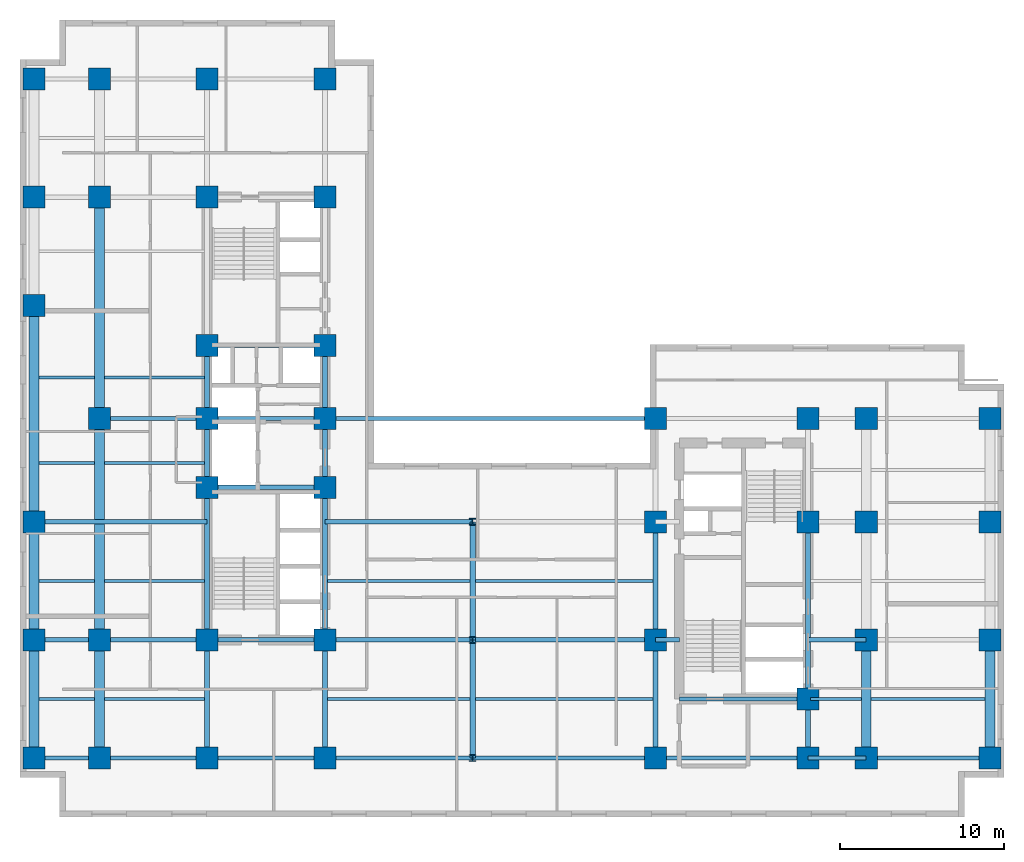
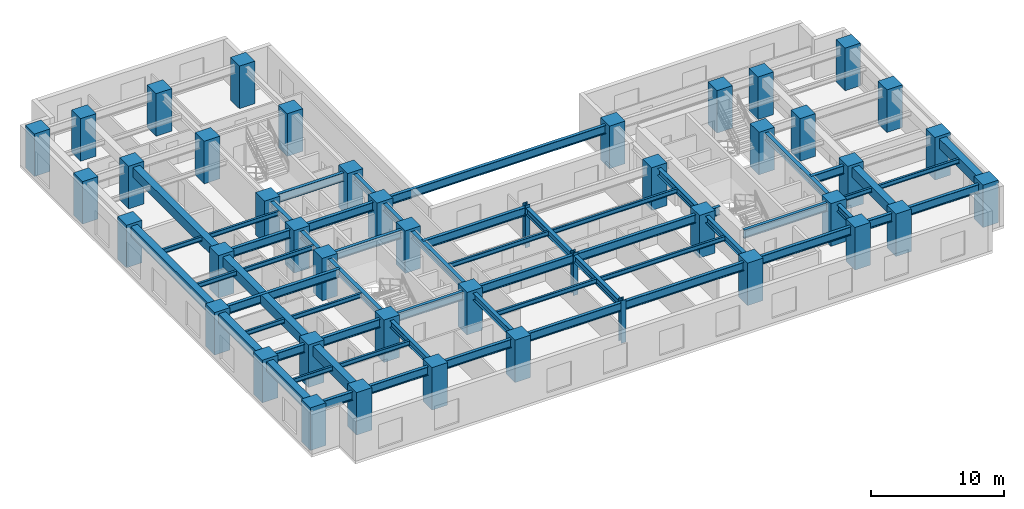
# One storey, part 1 of 9: 59 beams, 44 columns.
"""IFC4 building model written with IfcOpenShell, lengths in metres."""

from ifc_helpers import new_model, entity, si_unit, converted_unit, direction, frame, origin_with_axes, origin_2d_with_axis, place, context, subcontext, project, spatial, rectangle, i_section, extrude, material, material_profile, profile_set, type_object, element, save


model = new_model("IFC4")

# Units and contexts
model_context = context("Model", 3, precision=1e-05, world=origin_with_axes(), true_north=direction((0.0, 1.0)))
body_context = subcontext(model_context, "Body", "Model", "MODEL_VIEW")
ifc_project = project(units=[si_unit("LENGTHUNIT", "METRE"), si_unit("AREAUNIT", "SQUARE_METRE"), si_unit("VOLUMEUNIT", "CUBIC_METRE"), converted_unit("PLANEANGLEUNIT", "DEGREE", entity("IfcPlaneAngleMeasure", 0.017453292519943295), si_unit("PLANEANGLEUNIT", "RADIAN"), dimensions=[0, 0, 0, 0, 0, 0, 0]), si_unit("MASSUNIT", "GRAM", prefix="KILO"), si_unit("THERMODYNAMICTEMPERATUREUNIT", "KELVIN")], contexts=[model_context])

# Site, building, storey
site_placement = place(None, origin_with_axes())
site = spatial("IfcSite", under=ifc_project, at=site_placement, CompositionType="ELEMENT")
building_placement = place(site_placement, origin_with_axes())
building = spatial("IfcBuilding", under=site, at=building_placement, Name="Varnlund Millrace Tower", CompositionType="ELEMENT")
storey_placement = place(building_placement, frame((0.0, 0.0, 60.0), z_axis=(0.0, 0.0, 1.0), x_axis=(1.0, 0.0, 0.0)))
storey = spatial("IfcBuildingStorey", under=building, at=storey_placement, Name="L14", CompositionType="ELEMENT", Elevation=60.0)

# Columns
ifc_material_1 = material(Name="Steel ASTM A913 Grade 65", Category="steel")
ifc_material_profile_1 = material_profile(ifc_material_1, i_section(OverallWidth=0.406, OverallDepth=0.416, WebThickness=0.0298, FlangeThickness=0.048, FilletRadius=0.022, at=origin_2d_with_axis()), Name="Steel ASTM A913 Grade 65")
ifc_profile_set_1 = profile_set([ifc_material_profile_1], Name="Steel ASTM A913 Grade 65")
column_type_1 = type_object("IfcColumnType", Name="Type-Col-Int-W14X257", PredefinedType="COLUMN", material=ifc_profile_set_1)
for number, where, z_axis, x_axis, name in (
    (1, (27.6, 3.6, 0.0), (0.0, 0.0, 1.0), (1.0, 0.0, 0.0), "Type-Col-Int-W14X257"),
    (2, (27.6, 10.8, 0.0), (0.0, 0.0, 1.0), (1.0, 0.0, 0.0), "Type-Col-Int-W14X257"),
    (3, (27.6, 18.0, 0.0), (0.0, 0.0, 1.0), (1.0, 0.0, 0.0), "Type-Col-Int-W14X257"),
):
    element("IfcColumn", number, at=place(storey_placement, frame(where, z_axis=z_axis, x_axis=x_axis)), inside=storey, type_object=column_type_1, Name=name, PredefinedType="COLUMN", context=body_context, shape_type="SweptSolid", body=[
        extrude(i_section(OverallWidth=0.406, OverallDepth=0.416, WebThickness=0.0298, FlangeThickness=0.048, FilletRadius=0.022, at=origin_2d_with_axis()), origin_with_axes(), (0.0, 0.0, 1.0), 3.9),
    ])
ifc_material_2 = material(Name="Concrete C80/95", Category="concrete")
ifc_material_profile_2 = material_profile(ifc_material_2, rectangle(XDim=1.35, YDim=1.35, at=origin_2d_with_axis()), Name="Concrete C80/95")
ifc_profile_set_2 = profile_set([ifc_material_profile_2], Name="Concrete C80/95")
column_type_2 = type_object("IfcColumnType", Name="Type-Col-RC1350-C80", PredefinedType="COLUMN", material=ifc_profile_set_2)
for number, where, z_axis, x_axis, name in (
    (4, (11.4, 3.6, 0.0), (0.0, 0.0, 1.0), (1.0, 0.0, 0.0), "Type-Col-RC1350-C80"),
    (5, (11.4, 10.8, 0.0), (0.0, 0.0, 1.0), (1.0, 0.0, 0.0), "Type-Col-RC1350-C80"),
    (6, (11.4, 20.1, 0.0), (0.0, 0.0, 1.0), (1.0, 0.0, 0.0), "Type-Col-RC1350-C80"),
    (7, (11.4, 24.3, 0.0), (0.0, 0.0, 1.0), (1.0, 0.0, 0.0), "Type-Col-RC1350-C80"),
    (8, (11.4, 28.75, 0.0), (0.0, 0.0, 1.0), (1.0, 0.0, 0.0), "Type-Col-RC1350-C80"),
    (9, (11.4, 37.8, 0.0), (0.0, 0.0, 1.0), (1.0, 0.0, 0.0), "Type-Col-RC1350-C80"),
    (10, (11.4, 45.0, 0.0), (0.0, 0.0, 1.0), (1.0, 0.0, 0.0), "Type-Col-RC1350-C80"),
    (11, (18.6, 3.6, 0.0), (0.0, 0.0, 1.0), (1.0, 0.0, 0.0), "Type-Col-RC1350-C80"),
    (12, (18.6, 10.8, 0.0), (0.0, 0.0, 1.0), (1.0, 0.0, 0.0), "Type-Col-RC1350-C80"),
    (13, (18.6, 20.1, 0.0), (0.0, 0.0, 1.0), (1.0, 0.0, 0.0), "Type-Col-RC1350-C80"),
    (14, (18.6, 24.3, 0.0), (0.0, 0.0, 1.0), (1.0, 0.0, 0.0), "Type-Col-RC1350-C80"),
    (15, (18.6, 28.75, 0.0), (0.0, 0.0, 1.0), (1.0, 0.0, 0.0), "Type-Col-RC1350-C80"),
    (16, (18.6, 37.8, 0.0), (0.0, 0.0, 1.0), (1.0, 0.0, 0.0), "Type-Col-RC1350-C80"),
    (17, (18.6, 45.0, 0.0), (0.0, 0.0, 1.0), (1.0, 0.0, 0.0), "Type-Col-RC1350-C80"),
    (18, (4.85, 3.6, 0.0), (0.0, 0.0, 1.0), (1.0, 0.0, 0.0), "Type-Col-RC1350-C80"),
    (19, (4.85, 10.8, 0.0), (0.0, 0.0, 1.0), (1.0, 0.0, 0.0), "Type-Col-RC1350-C80"),
    (20, (4.85, 24.3, 0.0), (0.0, 0.0, 1.0), (1.0, 0.0, 0.0), "Type-Col-RC1350-C80"),
    (21, (4.85, 37.8, 0.0), (0.0, 0.0, 1.0), (1.0, 0.0, 0.0), "Type-Col-RC1350-C80"),
    (22, (4.85, 45.0, 0.0), (0.0, 0.0, 1.0), (1.0, 0.0, 0.0), "Type-Col-RC1350-C80"),
    (23, (0.85, 3.6, 0.0), (0.0, 0.0, 1.0), (1.0, 0.0, 0.0), "Type-Col-RC1350-C80"),
    (24, (0.85, 10.8, 0.0), (0.0, 0.0, 1.0), (1.0, 0.0, 0.0), "Type-Col-RC1350-C80"),
    (25, (0.85, 18.0, 0.0), (0.0, 0.0, 1.0), (1.0, 0.0, 0.0), "Type-Col-RC1350-C80"),
    (26, (0.85, 31.2, 0.0), (0.0, 0.0, 1.0), (1.0, 0.0, 0.0), "Type-Col-RC1350-C80"),
    (27, (0.85, 37.8, 0.0), (0.0, 0.0, 1.0), (1.0, 0.0, 0.0), "Type-Col-RC1350-C80"),
    (28, (0.85, 45.0, 0.0), (0.0, 0.0, 1.0), (1.0, 0.0, 0.0), "Type-Col-RC1350-C80"),
    (29, (38.75, 3.6, 0.0), (0.0, 0.0, 1.0), (1.0, 0.0, 0.0), "Type-Col-RC1350-C80"),
    (30, (38.75, 10.8, 0.0), (0.0, 0.0, 1.0), (1.0, 0.0, 0.0), "Type-Col-RC1350-C80"),
    (31, (38.75, 18.0, 0.0), (0.0, 0.0, 1.0), (1.0, 0.0, 0.0), "Type-Col-RC1350-C80"),
    (32, (38.75, 24.3, 0.0), (0.0, 0.0, 1.0), (1.0, 0.0, 0.0), "Type-Col-RC1350-C80"),
    (33, (48.05, 3.6, 0.0), (0.0, 0.0, 1.0), (1.0, 0.0, 0.0), "Type-Col-RC1350-C80"),
    (34, (48.05, 7.2, 0.0), (0.0, 0.0, 1.0), (1.0, 0.0, 0.0), "Type-Col-RC1350-C80"),
    (35, (48.05, 18.0, 0.0), (0.0, 0.0, 1.0), (1.0, 0.0, 0.0), "Type-Col-RC1350-C80"),
    (36, (48.05, 24.3, 0.0), (0.0, 0.0, 1.0), (1.0, 0.0, 0.0), "Type-Col-RC1350-C80"),
    (37, (51.6, 3.6, 0.0), (0.0, 0.0, 1.0), (1.0, 0.0, 0.0), "Type-Col-RC1350-C80"),
    (38, (51.6, 10.8, 0.0), (0.0, 0.0, 1.0), (1.0, 0.0, 0.0), "Type-Col-RC1350-C80"),
    (39, (51.6, 18.0, 0.0), (0.0, 0.0, 1.0), (1.0, 0.0, 0.0), "Type-Col-RC1350-C80"),
    (40, (51.6, 24.3, 0.0), (0.0, 0.0, 1.0), (1.0, 0.0, 0.0), "Type-Col-RC1350-C80"),
    (41, (59.15, 3.6, 0.0), (0.0, 0.0, 1.0), (1.0, 0.0, 0.0), "Type-Col-RC1350-C80"),
    (42, (59.15, 10.8, 0.0), (0.0, 0.0, 1.0), (1.0, 0.0, 0.0), "Type-Col-RC1350-C80"),
    (43, (59.15, 18.0, 0.0), (0.0, 0.0, 1.0), (1.0, 0.0, 0.0), "Type-Col-RC1350-C80"),
    (44, (59.15, 24.3, 0.0), (0.0, 0.0, 1.0), (1.0, 0.0, 0.0), "Type-Col-RC1350-C80"),
):
    element("IfcColumn", number, at=place(storey_placement, frame(where, z_axis=z_axis, x_axis=x_axis)), inside=storey, type_object=column_type_2, Name=name, PredefinedType="COLUMN", context=body_context, shape_type="SweptSolid", body=[
        extrude(rectangle(XDim=1.35, YDim=1.35, at=origin_2d_with_axis()), origin_with_axes(), (0.0, 0.0, 1.0), 3.9),
    ])

# Beams
ifc_material_3 = material(Name="Steel ASTM A992 Grade 50", Category="steel")
ifc_material_profile_3 = material_profile(ifc_material_3, i_section(OverallWidth=0.328, OverallDepth=0.628, WebThickness=0.0165, FlangeThickness=0.0277, FilletRadius=0.018, at=origin_2d_with_axis()), Name="Steel ASTM A992 Grade 50")
ifc_profile_set_3 = profile_set([ifc_material_profile_3], Name="Steel ASTM A992 Grade 50")
beam_type_1 = type_object("IfcBeamType", Name="Type-Girder-W24X146", PredefinedType="USERDEFINED", material=ifc_profile_set_3)
beam_1_placement = place(storey_placement, frame((11.4, 3.6, 3.346), z_axis=(0.0, 1.0, 0.0), x_axis=(-1.0, 0.0, 0.0)))
element("IfcBeam", 45, at=beam_1_placement, inside=storey, type_object=beam_type_1, Name="Type-Girder-W24X146", ObjectType="GIRDER", PredefinedType="USERDEFINED", context=body_context, shape_type="SweptSolid", body=[
    extrude(i_section(OverallWidth=0.328, OverallDepth=0.628, WebThickness=0.0165, FlangeThickness=0.0277, FilletRadius=0.018, at=origin_2d_with_axis()), origin_with_axes(), (0.0, 0.0, 1.0), 7.2),
])
beam_2_placement = place(storey_placement, frame((11.4, 10.8, 3.346), z_axis=(0.0, 1.0, 0.0), x_axis=(-1.0, 0.0, 0.0)))
element("IfcBeam", 46, at=beam_2_placement, inside=storey, type_object=beam_type_1, Name="Type-Girder-W24X146", ObjectType="GIRDER", PredefinedType="USERDEFINED", context=body_context, shape_type="SweptSolid", body=[
    extrude(i_section(OverallWidth=0.328, OverallDepth=0.628, WebThickness=0.0165, FlangeThickness=0.0277, FilletRadius=0.018, at=origin_2d_with_axis()), origin_with_axes(), (0.0, 0.0, 1.0), 9.3),
])
beam_3_placement = place(storey_placement, frame((11.4, 20.1, 3.346), z_axis=(0.0, 1.0, 0.0), x_axis=(-1.0, 0.0, 0.0)))
element("IfcBeam", 47, at=beam_3_placement, inside=storey, type_object=beam_type_1, Name="Type-Girder-W24X146", ObjectType="GIRDER", PredefinedType="USERDEFINED", context=body_context, shape_type="SweptSolid", body=[
    extrude(i_section(OverallWidth=0.328, OverallDepth=0.628, WebThickness=0.0165, FlangeThickness=0.0277, FilletRadius=0.018, at=origin_2d_with_axis()), origin_with_axes(), (0.0, 0.0, 1.0), 4.2),
])
beam_4_placement = place(storey_placement, frame((11.4, 24.3, 3.346), z_axis=(0.0, 1.0, 0.0), x_axis=(-1.0, 0.0, 0.0)))
element("IfcBeam", 48, at=beam_4_placement, inside=storey, type_object=beam_type_1, Name="Type-Girder-W24X146", ObjectType="GIRDER", PredefinedType="USERDEFINED", context=body_context, shape_type="SweptSolid", body=[
    extrude(i_section(OverallWidth=0.328, OverallDepth=0.628, WebThickness=0.0165, FlangeThickness=0.0277, FilletRadius=0.018, at=origin_2d_with_axis()), origin_with_axes(), (0.0, 0.0, 1.0), 4.45),
])
beam_5_placement = place(storey_placement, frame((18.6, 3.6, 3.346), z_axis=(0.0, 1.0, 0.0), x_axis=(-1.0, 0.0, 0.0)))
element("IfcBeam", 49, at=beam_5_placement, inside=storey, type_object=beam_type_1, Name="Type-Girder-W24X146", ObjectType="GIRDER", PredefinedType="USERDEFINED", context=body_context, shape_type="SweptSolid", body=[
    extrude(i_section(OverallWidth=0.328, OverallDepth=0.628, WebThickness=0.0165, FlangeThickness=0.0277, FilletRadius=0.018, at=origin_2d_with_axis()), origin_with_axes(), (0.0, 0.0, 1.0), 7.2),
])
beam_6_placement = place(storey_placement, frame((18.6, 10.8, 3.346), z_axis=(0.0, 1.0, 0.0), x_axis=(-1.0, 0.0, 0.0)))
element("IfcBeam", 50, at=beam_6_placement, inside=storey, type_object=beam_type_1, Name="Type-Girder-W24X146", ObjectType="GIRDER", PredefinedType="USERDEFINED", context=body_context, shape_type="SweptSolid", body=[
    extrude(i_section(OverallWidth=0.328, OverallDepth=0.628, WebThickness=0.0165, FlangeThickness=0.0277, FilletRadius=0.018, at=origin_2d_with_axis()), origin_with_axes(), (0.0, 0.0, 1.0), 9.3),
])
beam_7_placement = place(storey_placement, frame((18.6, 20.1, 3.346), z_axis=(0.0, 1.0, 0.0), x_axis=(-1.0, 0.0, 0.0)))
element("IfcBeam", 51, at=beam_7_placement, inside=storey, type_object=beam_type_1, Name="Type-Girder-W24X146", ObjectType="GIRDER", PredefinedType="USERDEFINED", context=body_context, shape_type="SweptSolid", body=[
    extrude(i_section(OverallWidth=0.328, OverallDepth=0.628, WebThickness=0.0165, FlangeThickness=0.0277, FilletRadius=0.018, at=origin_2d_with_axis()), origin_with_axes(), (0.0, 0.0, 1.0), 4.2),
])
beam_8_placement = place(storey_placement, frame((18.6, 24.3, 3.346), z_axis=(0.0, 1.0, 0.0), x_axis=(-1.0, 0.0, 0.0)))
element("IfcBeam", 52, at=beam_8_placement, inside=storey, type_object=beam_type_1, Name="Type-Girder-W24X146", ObjectType="GIRDER", PredefinedType="USERDEFINED", context=body_context, shape_type="SweptSolid", body=[
    extrude(i_section(OverallWidth=0.328, OverallDepth=0.628, WebThickness=0.0165, FlangeThickness=0.0277, FilletRadius=0.018, at=origin_2d_with_axis()), origin_with_axes(), (0.0, 0.0, 1.0), 4.45),
])
for number, where, z_axis, x_axis, name in (
    (53, (27.6, 3.6, 3.346), (0.0, 1.0, 0.0), (-1.0, 0.0, 0.0), "Type-Girder-W24X146"),
    (54, (27.6, 10.8, 3.346), (0.0, 1.0, 0.0), (-1.0, 0.0, 0.0), "Type-Girder-W24X146"),
    (55, (38.75, 3.6, 3.346), (0.0, 1.0, 0.0), (-1.0, 0.0, 0.0), "Type-Girder-W24X146"),
    (56, (38.75, 10.8, 3.346), (0.0, 1.0, 0.0), (-1.0, 0.0, 0.0), "Type-Girder-W24X146"),
):
    element("IfcBeam", number, at=place(storey_placement, frame(where, z_axis=z_axis, x_axis=x_axis)), inside=storey, type_object=beam_type_1, Name=name, ObjectType="GIRDER", PredefinedType="USERDEFINED", context=body_context, shape_type="SweptSolid", body=[
        extrude(i_section(OverallWidth=0.328, OverallDepth=0.628, WebThickness=0.0165, FlangeThickness=0.0277, FilletRadius=0.018, at=origin_2d_with_axis()), origin_with_axes(), (0.0, 0.0, 1.0), 7.2),
    ])
beam_9_placement = place(storey_placement, frame((48.05, 3.6, 3.346), z_axis=(0.0, 1.0, 0.0), x_axis=(-1.0, 0.0, 0.0)))
element("IfcBeam", 57, at=beam_9_placement, inside=storey, type_object=beam_type_1, Name="Type-Girder-W24X146", ObjectType="GIRDER", PredefinedType="USERDEFINED", context=body_context, shape_type="SweptSolid", body=[
    extrude(i_section(OverallWidth=0.328, OverallDepth=0.628, WebThickness=0.0165, FlangeThickness=0.0277, FilletRadius=0.018, at=origin_2d_with_axis()), origin_with_axes(), (0.0, 0.0, 1.0), 3.6),
])
beam_10_placement = place(storey_placement, frame((48.05, 7.2, 3.346), z_axis=(0.0, 1.0, 0.0), x_axis=(-1.0, 0.0, 0.0)))
element("IfcBeam", 58, at=beam_10_placement, inside=storey, type_object=beam_type_1, Name="Type-Girder-W24X146", ObjectType="GIRDER", PredefinedType="USERDEFINED", context=body_context, shape_type="SweptSolid", body=[
    extrude(i_section(OverallWidth=0.328, OverallDepth=0.628, WebThickness=0.0165, FlangeThickness=0.0277, FilletRadius=0.018, at=origin_2d_with_axis()), origin_with_axes(), (0.0, 0.0, 1.0), 10.8),
])
ifc_material_profile_4 = material_profile(ifc_material_3, i_section(OverallWidth=0.266, OverallDepth=0.779, WebThickness=0.0165, FlangeThickness=0.03, FilletRadius=0.02, at=origin_2d_with_axis()), Name="Steel ASTM A992 Grade 50")
ifc_profile_set_4 = profile_set([ifc_material_profile_4], Name="Steel ASTM A992 Grade 50")
beam_type_2 = type_object("IfcBeamType", Name="Type-Girder-W30X148", PredefinedType="USERDEFINED", material=ifc_profile_set_4)
beam_11_placement = place(storey_placement, frame((0.85, 3.6, 3.2705), z_axis=(1.0, 0.0, 0.0), x_axis=(0.0, 1.0, 0.0)))
element("IfcBeam", 59, at=beam_11_placement, inside=storey, type_object=beam_type_2, Name="Type-Girder-W30X148", ObjectType="GIRDER", PredefinedType="USERDEFINED", context=body_context, shape_type="SweptSolid", body=[
    extrude(i_section(OverallWidth=0.266, OverallDepth=0.779, WebThickness=0.0165, FlangeThickness=0.03, FilletRadius=0.02, at=origin_2d_with_axis()), origin_with_axes(), (0.0, 0.0, 1.0), 4.0),
])
beam_12_placement = place(storey_placement, frame((4.85, 3.6, 3.2705), z_axis=(1.0, 0.0, 0.0), x_axis=(0.0, 1.0, 0.0)))
element("IfcBeam", 60, at=beam_12_placement, inside=storey, type_object=beam_type_2, Name="Type-Girder-W30X148", ObjectType="GIRDER", PredefinedType="USERDEFINED", context=body_context, shape_type="SweptSolid", body=[
    extrude(i_section(OverallWidth=0.266, OverallDepth=0.779, WebThickness=0.0165, FlangeThickness=0.03, FilletRadius=0.02, at=origin_2d_with_axis()), origin_with_axes(), (0.0, 0.0, 1.0), 6.55),
])
beam_13_placement = place(storey_placement, frame((11.4, 3.6, 3.2705), z_axis=(1.0, 0.0, 0.0), x_axis=(0.0, 1.0, 0.0)))
element("IfcBeam", 61, at=beam_13_placement, inside=storey, type_object=beam_type_2, Name="Type-Girder-W30X148", ObjectType="GIRDER", PredefinedType="USERDEFINED", context=body_context, shape_type="SweptSolid", body=[
    extrude(i_section(OverallWidth=0.266, OverallDepth=0.779, WebThickness=0.0165, FlangeThickness=0.03, FilletRadius=0.02, at=origin_2d_with_axis()), origin_with_axes(), (0.0, 0.0, 1.0), 7.2),
])
beam_14_placement = place(storey_placement, frame((18.6, 3.6, 3.2705), z_axis=(1.0, 0.0, 0.0), x_axis=(0.0, 1.0, 0.0)))
element("IfcBeam", 62, at=beam_14_placement, inside=storey, type_object=beam_type_2, Name="Type-Girder-W30X148", ObjectType="GIRDER", PredefinedType="USERDEFINED", context=body_context, shape_type="SweptSolid", body=[
    extrude(i_section(OverallWidth=0.266, OverallDepth=0.779, WebThickness=0.0165, FlangeThickness=0.03, FilletRadius=0.02, at=origin_2d_with_axis()), origin_with_axes(), (0.0, 0.0, 1.0), 9.0),
])
beam_15_placement = place(storey_placement, frame((27.6, 3.6, 3.2705), z_axis=(1.0, 0.0, 0.0), x_axis=(0.0, 1.0, 0.0)))
element("IfcBeam", 63, at=beam_15_placement, inside=storey, type_object=beam_type_2, Name="Type-Girder-W30X148", ObjectType="GIRDER", PredefinedType="USERDEFINED", context=body_context, shape_type="SweptSolid", body=[
    extrude(i_section(OverallWidth=0.266, OverallDepth=0.779, WebThickness=0.0165, FlangeThickness=0.03, FilletRadius=0.02, at=origin_2d_with_axis()), origin_with_axes(), (0.0, 0.0, 1.0), 11.15),
])
beam_16_placement = place(storey_placement, frame((38.75, 3.6, 3.2705), z_axis=(1.0, 0.0, 0.0), x_axis=(0.0, 1.0, 0.0)))
element("IfcBeam", 64, at=beam_16_placement, inside=storey, type_object=beam_type_2, Name="Type-Girder-W30X148", ObjectType="GIRDER", PredefinedType="USERDEFINED", context=body_context, shape_type="SweptSolid", body=[
    extrude(i_section(OverallWidth=0.266, OverallDepth=0.779, WebThickness=0.0165, FlangeThickness=0.03, FilletRadius=0.02, at=origin_2d_with_axis()), origin_with_axes(), (0.0, 0.0, 1.0), 9.3),
])
beam_17_placement = place(storey_placement, frame((48.05, 3.6, 3.2705), z_axis=(1.0, 0.0, 0.0), x_axis=(0.0, 1.0, 0.0)))
element("IfcBeam", 65, at=beam_17_placement, inside=storey, type_object=beam_type_2, Name="Type-Girder-W30X148", ObjectType="GIRDER", PredefinedType="USERDEFINED", context=body_context, shape_type="SweptSolid", body=[
    extrude(i_section(OverallWidth=0.266, OverallDepth=0.779, WebThickness=0.0165, FlangeThickness=0.03, FilletRadius=0.02, at=origin_2d_with_axis()), origin_with_axes(), (0.0, 0.0, 1.0), 3.55),
])
beam_18_placement = place(storey_placement, frame((51.6, 3.6, 3.2705), z_axis=(1.0, 0.0, 0.0), x_axis=(0.0, 1.0, 0.0)))
element("IfcBeam", 66, at=beam_18_placement, inside=storey, type_object=beam_type_2, Name="Type-Girder-W30X148", ObjectType="GIRDER", PredefinedType="USERDEFINED", context=body_context, shape_type="SweptSolid", body=[
    extrude(i_section(OverallWidth=0.266, OverallDepth=0.779, WebThickness=0.0165, FlangeThickness=0.03, FilletRadius=0.02, at=origin_2d_with_axis()), origin_with_axes(), (0.0, 0.0, 1.0), 7.55),
])
beam_19_placement = place(storey_placement, frame((40.2, 7.2, 3.2705), z_axis=(1.0, 0.0, 0.0), x_axis=(0.0, 1.0, 0.0)))
element("IfcBeam", 67, at=beam_19_placement, inside=storey, type_object=beam_type_2, Name="Type-Girder-W30X148", ObjectType="GIRDER", PredefinedType="USERDEFINED", context=body_context, shape_type="SweptSolid", body=[
    extrude(i_section(OverallWidth=0.266, OverallDepth=0.779, WebThickness=0.0165, FlangeThickness=0.03, FilletRadius=0.02, at=origin_2d_with_axis()), origin_with_axes(), (0.0, 0.0, 1.0), 7.85),
])
beam_20_placement = place(storey_placement, frame((0.85, 10.8, 3.2705), z_axis=(1.0, 0.0, 0.0), x_axis=(0.0, 1.0, 0.0)))
element("IfcBeam", 68, at=beam_20_placement, inside=storey, type_object=beam_type_2, Name="Type-Girder-W30X148", ObjectType="GIRDER", PredefinedType="USERDEFINED", context=body_context, shape_type="SweptSolid", body=[
    extrude(i_section(OverallWidth=0.266, OverallDepth=0.779, WebThickness=0.0165, FlangeThickness=0.03, FilletRadius=0.02, at=origin_2d_with_axis()), origin_with_axes(), (0.0, 0.0, 1.0), 4.0),
])
beam_21_placement = place(storey_placement, frame((4.85, 10.8, 3.2705), z_axis=(1.0, 0.0, 0.0), x_axis=(0.0, 1.0, 0.0)))
element("IfcBeam", 69, at=beam_21_placement, inside=storey, type_object=beam_type_2, Name="Type-Girder-W30X148", ObjectType="GIRDER", PredefinedType="USERDEFINED", context=body_context, shape_type="SweptSolid", body=[
    extrude(i_section(OverallWidth=0.266, OverallDepth=0.779, WebThickness=0.0165, FlangeThickness=0.03, FilletRadius=0.02, at=origin_2d_with_axis()), origin_with_axes(), (0.0, 0.0, 1.0), 6.55),
])
beam_22_placement = place(storey_placement, frame((11.4, 10.8, 3.2705), z_axis=(1.0, 0.0, 0.0), x_axis=(0.0, 1.0, 0.0)))
element("IfcBeam", 70, at=beam_22_placement, inside=storey, type_object=beam_type_2, Name="Type-Girder-W30X148", ObjectType="GIRDER", PredefinedType="USERDEFINED", context=body_context, shape_type="SweptSolid", body=[
    extrude(i_section(OverallWidth=0.266, OverallDepth=0.779, WebThickness=0.0165, FlangeThickness=0.03, FilletRadius=0.02, at=origin_2d_with_axis()), origin_with_axes(), (0.0, 0.0, 1.0), 7.2),
])
beam_23_placement = place(storey_placement, frame((18.6, 10.8, 3.2705), z_axis=(1.0, 0.0, 0.0), x_axis=(0.0, 1.0, 0.0)))
element("IfcBeam", 71, at=beam_23_placement, inside=storey, type_object=beam_type_2, Name="Type-Girder-W30X148", ObjectType="GIRDER", PredefinedType="USERDEFINED", context=body_context, shape_type="SweptSolid", body=[
    extrude(i_section(OverallWidth=0.266, OverallDepth=0.779, WebThickness=0.0165, FlangeThickness=0.03, FilletRadius=0.02, at=origin_2d_with_axis()), origin_with_axes(), (0.0, 0.0, 1.0), 9.0),
])
beam_24_placement = place(storey_placement, frame((27.6, 10.8, 3.2705), z_axis=(1.0, 0.0, 0.0), x_axis=(0.0, 1.0, 0.0)))
element("IfcBeam", 72, at=beam_24_placement, inside=storey, type_object=beam_type_2, Name="Type-Girder-W30X148", ObjectType="GIRDER", PredefinedType="USERDEFINED", context=body_context, shape_type="SweptSolid", body=[
    extrude(i_section(OverallWidth=0.266, OverallDepth=0.779, WebThickness=0.0165, FlangeThickness=0.03, FilletRadius=0.02, at=origin_2d_with_axis()), origin_with_axes(), (0.0, 0.0, 1.0), 11.15),
])
beam_25_placement = place(storey_placement, frame((38.75, 10.8, 3.2705), z_axis=(1.0, 0.0, 0.0), x_axis=(0.0, 1.0, 0.0)))
element("IfcBeam", 73, at=beam_25_placement, inside=storey, type_object=beam_type_2, Name="Type-Girder-W30X148", ObjectType="GIRDER", PredefinedType="USERDEFINED", context=body_context, shape_type="SweptSolid", body=[
    extrude(i_section(OverallWidth=0.266, OverallDepth=0.779, WebThickness=0.0165, FlangeThickness=0.03, FilletRadius=0.02, at=origin_2d_with_axis()), origin_with_axes(), (0.0, 0.0, 1.0), 1.45),
])
beam_26_placement = place(storey_placement, frame((48.05, 10.8, 3.2705), z_axis=(1.0, 0.0, 0.0), x_axis=(0.0, 1.0, 0.0)))
element("IfcBeam", 74, at=beam_26_placement, inside=storey, type_object=beam_type_2, Name="Type-Girder-W30X148", ObjectType="GIRDER", PredefinedType="USERDEFINED", context=body_context, shape_type="SweptSolid", body=[
    extrude(i_section(OverallWidth=0.266, OverallDepth=0.779, WebThickness=0.0165, FlangeThickness=0.03, FilletRadius=0.02, at=origin_2d_with_axis()), origin_with_axes(), (0.0, 0.0, 1.0), 3.55),
])
beam_27_placement = place(storey_placement, frame((0.85, 18.0, 3.2705), z_axis=(1.0, 0.0, 0.0), x_axis=(0.0, 1.0, 0.0)))
element("IfcBeam", 75, at=beam_27_placement, inside=storey, type_object=beam_type_2, Name="Type-Girder-W30X148", ObjectType="GIRDER", PredefinedType="USERDEFINED", context=body_context, shape_type="SweptSolid", body=[
    extrude(i_section(OverallWidth=0.266, OverallDepth=0.779, WebThickness=0.0165, FlangeThickness=0.03, FilletRadius=0.02, at=origin_2d_with_axis()), origin_with_axes(), (0.0, 0.0, 1.0), 10.55),
])
beam_28_placement = place(storey_placement, frame((18.6, 18.0, 3.2705), z_axis=(1.0, 0.0, 0.0), x_axis=(0.0, 1.0, 0.0)))
element("IfcBeam", 76, at=beam_28_placement, inside=storey, type_object=beam_type_2, Name="Type-Girder-W30X148", ObjectType="GIRDER", PredefinedType="USERDEFINED", context=body_context, shape_type="SweptSolid", body=[
    extrude(i_section(OverallWidth=0.266, OverallDepth=0.779, WebThickness=0.0165, FlangeThickness=0.03, FilletRadius=0.02, at=origin_2d_with_axis()), origin_with_axes(), (0.0, 0.0, 1.0), 9.0),
])
beam_29_placement = place(storey_placement, frame((11.4, 20.1, 3.2705), z_axis=(1.0, 0.0, 0.0), x_axis=(0.0, 1.0, 0.0)))
element("IfcBeam", 77, at=beam_29_placement, inside=storey, type_object=beam_type_2, Name="Type-Girder-W30X148", ObjectType="GIRDER", PredefinedType="USERDEFINED", context=body_context, shape_type="SweptSolid", body=[
    extrude(i_section(OverallWidth=0.266, OverallDepth=0.779, WebThickness=0.0165, FlangeThickness=0.03, FilletRadius=0.02, at=origin_2d_with_axis()), origin_with_axes(), (0.0, 0.0, 1.0), 7.2),
])
beam_30_placement = place(storey_placement, frame((4.85, 24.3, 3.2705), z_axis=(1.0, 0.0, 0.0), x_axis=(0.0, 1.0, 0.0)))
element("IfcBeam", 78, at=beam_30_placement, inside=storey, type_object=beam_type_2, Name="Type-Girder-W30X148", ObjectType="GIRDER", PredefinedType="USERDEFINED", context=body_context, shape_type="SweptSolid", body=[
    extrude(i_section(OverallWidth=0.266, OverallDepth=0.779, WebThickness=0.0165, FlangeThickness=0.03, FilletRadius=0.02, at=origin_2d_with_axis()), origin_with_axes(), (0.0, 0.0, 1.0), 6.55),
])
beam_31_placement = place(storey_placement, frame((11.4, 24.3, 3.2705), z_axis=(1.0, 0.0, 0.0), x_axis=(0.0, 1.0, 0.0)))
element("IfcBeam", 79, at=beam_31_placement, inside=storey, type_object=beam_type_2, Name="Type-Girder-W30X148", ObjectType="GIRDER", PredefinedType="USERDEFINED", context=body_context, shape_type="SweptSolid", body=[
    extrude(i_section(OverallWidth=0.266, OverallDepth=0.779, WebThickness=0.0165, FlangeThickness=0.03, FilletRadius=0.02, at=origin_2d_with_axis()), origin_with_axes(), (0.0, 0.0, 1.0), 7.2),
])
beam_32_placement = place(storey_placement, frame((18.6, 24.3, 3.2705), z_axis=(1.0, 0.0, 0.0), x_axis=(0.0, 1.0, 0.0)))
element("IfcBeam", 80, at=beam_32_placement, inside=storey, type_object=beam_type_2, Name="Type-Girder-W30X148", ObjectType="GIRDER", PredefinedType="USERDEFINED", context=body_context, shape_type="SweptSolid", body=[
    extrude(i_section(OverallWidth=0.266, OverallDepth=0.779, WebThickness=0.0165, FlangeThickness=0.03, FilletRadius=0.02, at=origin_2d_with_axis()), origin_with_axes(), (0.0, 0.0, 1.0), 20.15),
])
beam_33_placement = place(storey_placement, frame((11.4, 28.75, 3.2705), z_axis=(1.0, 0.0, 0.0), x_axis=(0.0, 1.0, 0.0)))
element("IfcBeam", 81, at=beam_33_placement, inside=storey, type_object=beam_type_2, Name="Type-Girder-W30X148", ObjectType="GIRDER", PredefinedType="USERDEFINED", context=body_context, shape_type="SweptSolid", body=[
    extrude(i_section(OverallWidth=0.266, OverallDepth=0.779, WebThickness=0.0165, FlangeThickness=0.03, FilletRadius=0.02, at=origin_2d_with_axis()), origin_with_axes(), (0.0, 0.0, 1.0), 7.2),
])
ifc_material_profile_5 = material_profile(ifc_material_3, i_section(OverallWidth=0.181, OverallDepth=0.417, WebThickness=0.0109, FlangeThickness=0.0182, FilletRadius=0.013, at=origin_2d_with_axis()), Name="Steel ASTM A992 Grade 50")
ifc_profile_set_5 = profile_set([ifc_material_profile_5], Name="Steel ASTM A992 Grade 50")
beam_type_3 = type_object("IfcBeamType", Name="Type-Joist-W16X57", PredefinedType="JOIST", material=ifc_profile_set_5)
for number, where, z_axis, x_axis, name in (
    (82, (1.15, 7.2, 3.4515), (1.0, 0.0, 0.0), (0.0, 1.0, 0.0), "Type-Joist-W16X57"),
    (83, (1.15, 14.4, 3.4515), (1.0, 0.0, 0.0), (0.0, 1.0, 0.0), "Type-Joist-W16X57"),
    (84, (1.15, 21.6, 3.4515), (1.0, 0.0, 0.0), (0.0, 1.0, 0.0), "Type-Joist-W16X57"),
    (85, (1.15, 26.8, 3.4515), (1.0, 0.0, 0.0), (0.0, 1.0, 0.0), "Type-Joist-W16X57"),
):
    element("IfcBeam", number, at=place(storey_placement, frame(where, z_axis=z_axis, x_axis=x_axis)), inside=storey, type_object=beam_type_3, Name=name, PredefinedType="JOIST", context=body_context, shape_type="SweptSolid", body=[
        extrude(i_section(OverallWidth=0.181, OverallDepth=0.417, WebThickness=0.0109, FlangeThickness=0.0182, FilletRadius=0.013, at=origin_2d_with_axis()), origin_with_axes(), (0.0, 0.0, 1.0), 3.4),
    ])
for number, where, z_axis, x_axis, name in (
    (86, (5.15, 7.2, 3.4515), (1.0, 0.0, 0.0), (0.0, 1.0, 0.0), "Type-Joist-W16X57"),
    (87, (5.15, 14.4, 3.4515), (1.0, 0.0, 0.0), (0.0, 1.0, 0.0), "Type-Joist-W16X57"),
    (88, (5.15, 21.6, 3.4515), (1.0, 0.0, 0.0), (0.0, 1.0, 0.0), "Type-Joist-W16X57"),
    (89, (5.15, 26.8, 3.4515), (1.0, 0.0, 0.0), (0.0, 1.0, 0.0), "Type-Joist-W16X57"),
):
    element("IfcBeam", number, at=place(storey_placement, frame(where, z_axis=z_axis, x_axis=x_axis)), inside=storey, type_object=beam_type_3, Name=name, PredefinedType="JOIST", context=body_context, shape_type="SweptSolid", body=[
        extrude(i_section(OverallWidth=0.181, OverallDepth=0.417, WebThickness=0.0109, FlangeThickness=0.0182, FilletRadius=0.013, at=origin_2d_with_axis()), origin_with_axes(), (0.0, 0.0, 1.0), 6.086),
    ])
beam_34_placement = place(storey_placement, frame((48.214, 7.2, 3.4515), z_axis=(1.0, 0.0, 0.0), x_axis=(0.0, 1.0, 0.0)))
element("IfcBeam", 90, at=beam_34_placement, inside=storey, type_object=beam_type_3, Name="Type-Joist-W16X57", PredefinedType="JOIST", context=body_context, shape_type="SweptSolid", body=[
    extrude(i_section(OverallWidth=0.181, OverallDepth=0.417, WebThickness=0.0109, FlangeThickness=0.0182, FilletRadius=0.013, at=origin_2d_with_axis()), origin_with_axes(), (0.0, 0.0, 1.0), 3.086),
])
beam_35_placement = place(storey_placement, frame((51.9, 7.2, 3.4515), z_axis=(1.0, 0.0, 0.0), x_axis=(0.0, 1.0, 0.0)))
element("IfcBeam", 91, at=beam_35_placement, inside=storey, type_object=beam_type_3, Name="Type-Joist-W16X57", PredefinedType="JOIST", context=body_context, shape_type="SweptSolid", body=[
    extrude(i_section(OverallWidth=0.181, OverallDepth=0.417, WebThickness=0.0109, FlangeThickness=0.0182, FilletRadius=0.013, at=origin_2d_with_axis()), origin_with_axes(), (0.0, 0.0, 1.0), 6.95),
])
for number, where, z_axis, x_axis, name in (
    (92, (18.764, 7.2, 3.4515), (1.0, 0.0, 0.0), (0.0, 1.0, 0.0), "Type-Joist-W16X57"),
    (93, (18.764, 14.4, 3.4515), (1.0, 0.0, 0.0), (0.0, 1.0, 0.0), "Type-Joist-W16X57"),
):
    element("IfcBeam", number, at=place(storey_placement, frame(where, z_axis=z_axis, x_axis=x_axis)), inside=storey, type_object=beam_type_3, Name=name, PredefinedType="JOIST", context=body_context, shape_type="SweptSolid", body=[
        extrude(i_section(OverallWidth=0.181, OverallDepth=0.417, WebThickness=0.0109, FlangeThickness=0.0182, FilletRadius=0.013, at=origin_2d_with_axis()), origin_with_axes(), (0.0, 0.0, 1.0), 8.672),
    ])
for number, where, z_axis, x_axis, name in (
    (94, (27.764, 7.2, 3.4515), (1.0, 0.0, 0.0), (0.0, 1.0, 0.0), "Type-Joist-W16X57"),
    (95, (27.764, 14.4, 3.4515), (1.0, 0.0, 0.0), (0.0, 1.0, 0.0), "Type-Joist-W16X57"),
):
    element("IfcBeam", number, at=place(storey_placement, frame(where, z_axis=z_axis, x_axis=x_axis)), inside=storey, type_object=beam_type_3, Name=name, PredefinedType="JOIST", context=body_context, shape_type="SweptSolid", body=[
        extrude(i_section(OverallWidth=0.181, OverallDepth=0.417, WebThickness=0.0109, FlangeThickness=0.0182, FilletRadius=0.013, at=origin_2d_with_axis()), origin_with_axes(), (0.0, 0.0, 1.0), 10.822),
    ])
ifc_material_4 = material(Name="Concrete C70/85", Category="concrete")
ifc_material_profile_6 = material_profile(ifc_material_4, rectangle(XDim=0.6, YDim=0.9, at=origin_2d_with_axis()), Name="Concrete C70/85")
ifc_profile_set_6 = profile_set([ifc_material_profile_6], Name="Concrete C70/85")
beam_type_4 = type_object("IfcBeamType", Name="Type-Spandrel-RC600X900", PredefinedType="SPANDREL", material=ifc_profile_set_6)
for number, where, z_axis, x_axis, name in (
    (96, (0.85, 3.6, 3.21), (0.0, 1.0, 0.0), (-1.0, 0.0, 0.0), "Type-Spandrel-RC600X900"),
    (97, (0.85, 10.8, 3.21), (0.0, 1.0, 0.0), (-1.0, 0.0, 0.0), "Type-Spandrel-RC600X900"),
):
    element("IfcBeam", number, at=place(storey_placement, frame(where, z_axis=z_axis, x_axis=x_axis)), inside=storey, type_object=beam_type_4, Name=name, PredefinedType="SPANDREL", context=body_context, shape_type="SweptSolid", body=[
        extrude(rectangle(XDim=0.6, YDim=0.9, at=origin_2d_with_axis()), origin_with_axes(), (0.0, 0.0, 1.0), 7.2),
    ])
beam_36_placement = place(storey_placement, frame((0.85, 18.0, 3.21), z_axis=(0.0, 1.0, 0.0), x_axis=(-1.0, 0.0, 0.0)))
element("IfcBeam", 98, at=beam_36_placement, inside=storey, type_object=beam_type_4, Name="Type-Spandrel-RC600X900", PredefinedType="SPANDREL", context=body_context, shape_type="SweptSolid", body=[
    extrude(rectangle(XDim=0.6, YDim=0.9, at=origin_2d_with_axis()), origin_with_axes(), (0.0, 0.0, 1.0), 13.2),
])
beam_37_placement = place(storey_placement, frame((4.85, 3.6, 3.21), z_axis=(0.0, 1.0, 0.0), x_axis=(-1.0, 0.0, 0.0)))
element("IfcBeam", 99, at=beam_37_placement, inside=storey, type_object=beam_type_4, Name="Type-Spandrel-RC600X900", PredefinedType="SPANDREL", context=body_context, shape_type="SweptSolid", body=[
    extrude(rectangle(XDim=0.6, YDim=0.9, at=origin_2d_with_axis()), origin_with_axes(), (0.0, 0.0, 1.0), 7.2),
])
for number, where, z_axis, x_axis, name in (
    (100, (4.85, 10.8, 3.21), (0.0, 1.0, 0.0), (-1.0, 0.0, 0.0), "Type-Spandrel-RC600X900"),
    (101, (4.85, 24.3, 3.21), (0.0, 1.0, 0.0), (-1.0, 0.0, 0.0), "Type-Spandrel-RC600X900"),
):
    element("IfcBeam", number, at=place(storey_placement, frame(where, z_axis=z_axis, x_axis=x_axis)), inside=storey, type_object=beam_type_4, Name=name, PredefinedType="SPANDREL", context=body_context, shape_type="SweptSolid", body=[
        extrude(rectangle(XDim=0.6, YDim=0.9, at=origin_2d_with_axis()), origin_with_axes(), (0.0, 0.0, 1.0), 13.5),
    ])
for number, where, z_axis, x_axis, name in (
    (102, (51.6, 3.6, 3.21), (0.0, 1.0, 0.0), (-1.0, 0.0, 0.0), "Type-Spandrel-RC600X900"),
    (103, (59.15, 3.6, 3.21), (0.0, 1.0, 0.0), (-1.0, 0.0, 0.0), "Type-Spandrel-RC600X900"),
):
    element("IfcBeam", number, at=place(storey_placement, frame(where, z_axis=z_axis, x_axis=x_axis)), inside=storey, type_object=beam_type_4, Name=name, PredefinedType="SPANDREL", context=body_context, shape_type="SweptSolid", body=[
        extrude(rectangle(XDim=0.6, YDim=0.9, at=origin_2d_with_axis()), origin_with_axes(), (0.0, 0.0, 1.0), 7.2),
    ])

save(model, "model.ifc")
